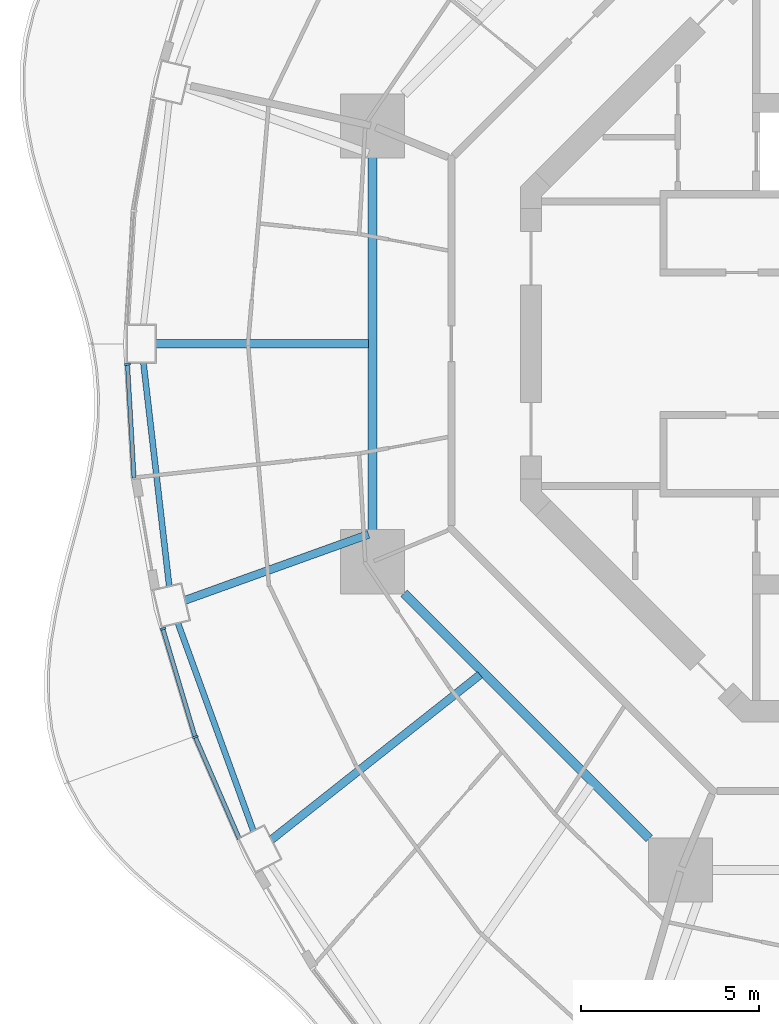
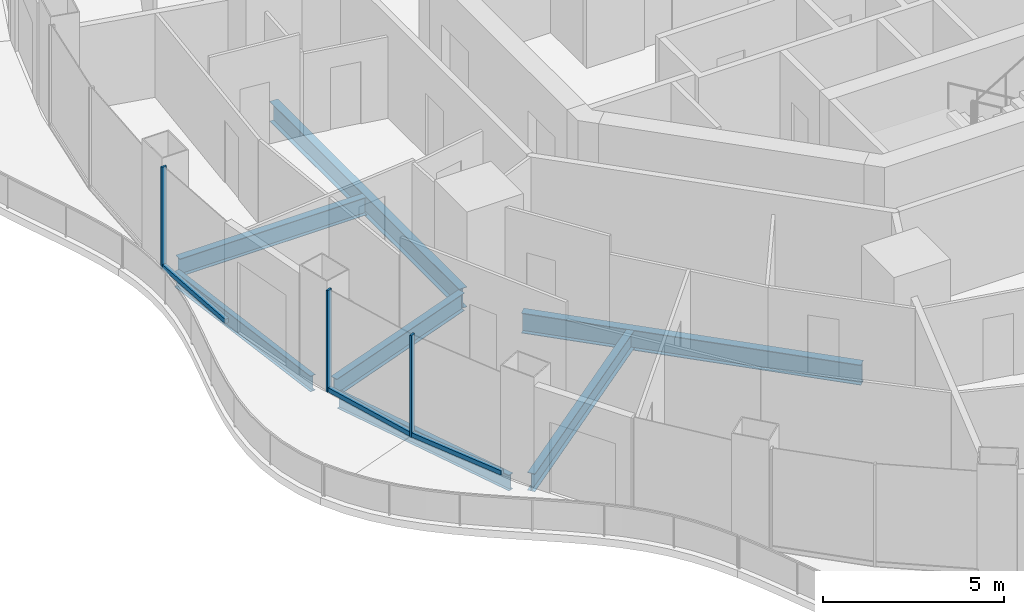
# One storey, part 3 of 19: 7 beams, 6 members, 3 elements without a shape of their own.
"""IFC4 building model written with IfcOpenShell, lengths in metres."""

from ifc_helpers import new_model, si_unit, direction, frame, origin, origin_2d, place, context, subcontext, project, spatial, rectangle, i_section, extrude, material, layer, layer_set, material_profile, profile_set, type_object, element, aggregate, save


model = new_model("IFC4")

# Units and contexts
model_context = context("Model", 3, precision=1e-05, world=origin(), true_north=direction((0.0, 1.0)))
body_context = subcontext(model_context, "Body", "Model", "MODEL_VIEW")
ifc_project = project(units=[si_unit("LENGTHUNIT", "METRE"), si_unit("AREAUNIT", "SQUARE_METRE"), si_unit("VOLUMEUNIT", "CUBIC_METRE"), si_unit("PLANEANGLEUNIT", "RADIAN"), si_unit("MASSUNIT", "GRAM", prefix="KILO")], contexts=[model_context])

# Site, building, storey
site_placement = place(None, origin())
site = spatial("IfcSite", under=ifc_project, at=site_placement, CompositionType="ELEMENT")
building_placement = place(site_placement, origin())
building = spatial("IfcBuilding", under=site, at=building_placement, Name="Nagisa Residences", CompositionType="ELEMENT")
storey_placement = place(building_placement, frame((0.0, 0.0, 184.39990234375)))
storey = spatial("IfcBuildingStorey", under=building, at=storey_placement, Name="L46", CompositionType="ELEMENT", Elevation=184.39990234375)

# Curtain wall, member
ifc_material_1 = material(Name="Concrete-coloured aluminium curtain wall system", Category="concrete")
ifc_layer = layer(ifc_material_1, 0.159912109375)
ifc_layer_set = layer_set([ifc_layer], Name="CW1 CURTAIN WALL")
curtain_wall_type = type_object("IfcCurtainWallType", Name="CW1 CURTAIN WALL", PredefinedType="NOTDEFINED", material=ifc_layer_set)
curtain_wall_1_placement = place(storey_placement, origin())
curtain_wall_1 = element("IfcCurtainWall", 1, at=curtain_wall_1_placement, inside=storey, type_object=curtain_wall_type, Name="cw:CW1:L46:24", PredefinedType="NOTDEFINED")
ifc_material_2 = material(Name="Concrete-coloured aluminium", Category="concrete")
ifc_material_profile_1 = material_profile(ifc_material_2, rectangle(XDim=0.159912109375, YDim=0.06005859375, at=origin_2d()), Name="CW1 MULLION 160x60")
ifc_profile_set_1 = profile_set([ifc_material_profile_1], Name="Concrete-coloured aluminium")
member_type_1 = type_object("IfcMemberType", Name="CW1 MULLION 160x60", PredefinedType="MULLION", material=ifc_profile_set_1)
member_1_placement = place(storey_placement, frame((-21.661865234375, -0.574462890625, 0.0), z_axis=(0.0, 0.0, 1.0), x_axis=(0.998345305184, 0.057503492216, 0.0)))
member_1 = element("IfcMember", 2, at=member_1_placement, type_object=member_type_1, Name="CW1 mullion", PredefinedType="MULLION", context=body_context, shape_type="SweptSolid", body=[
    extrude(rectangle(XDim=0.159912109375, YDim=0.06005859375, at=origin_2d()), origin(), (0.0, 0.0, 1.0), 3.440185546875),
])

curtain_wall_2_placement = place(storey_placement, origin())
curtain_wall_2 = element("IfcCurtainWall", 3, at=curtain_wall_2_placement, inside=storey, type_object=curtain_wall_type, Name="cw:CW1:L46:26", PredefinedType="NOTDEFINED")
member_2_placement = place(storey_placement, frame((-20.66796875, -8.00634765625, 0.0), z_axis=(0.0, 0.0, 1.0), x_axis=(0.958271310082, 0.285860274038, 0.0)))
member_2 = element("IfcMember", 4, at=member_2_placement, type_object=member_type_1, Name="CW1 mullion", PredefinedType="MULLION", context=body_context, shape_type="SweptSolid", body=[
    extrude(rectangle(XDim=0.159912109375, YDim=0.06005859375, at=origin_2d()), origin(), (0.0, 0.0, 1.0), 3.440185546875),
])

curtain_wall_3_placement = place(storey_placement, origin())
curtain_wall_3 = element("IfcCurtainWall", 5, at=curtain_wall_3_placement, inside=storey, type_object=curtain_wall_type, Name="cw:CW1:L46:27", PredefinedType="NOTDEFINED")
member_3_placement = place(storey_placement, frame((-19.758056640625, -11.045654296875, 0.0), z_axis=(0.0, 0.0, 1.0), x_axis=(0.917543276295, 0.397635934147, 0.0)))
member_3 = element("IfcMember", 6, at=member_3_placement, type_object=member_type_1, Name="CW1 mullion", PredefinedType="MULLION", context=body_context, shape_type="SweptSolid", body=[
    extrude(rectangle(XDim=0.159912109375, YDim=0.06005859375, at=origin_2d()), origin(), (0.0, 0.0, 1.0), 3.440185546875),
])

# Member
ifc_material_3 = material(Name="Concrete-coloured aluminium", Category="concrete")
ifc_material_profile_2 = material_profile(ifc_material_3, rectangle(XDim=0.1201171875, YDim=0.14990234375, at=origin_2d()), Name="CW1 TRANSOM 120x150")
ifc_profile_set_2 = profile_set([ifc_material_profile_2], Name="Concrete-coloured aluminium")
member_type_2 = type_object("IfcMemberType", Name="CW1 TRANSOM 120x150", PredefinedType="USERDEFINED", material=ifc_profile_set_2)
member_4_placement = place(storey_placement, frame((-21.66357421875, -0.54443359375, 0.0751953125), z_axis=(0.057528345118, -0.998343873376, 0.0), x_axis=(0.998343873376, 0.057528345118, 0.0)))
member_4 = element("IfcMember", 7, at=member_4_placement, type_object=member_type_2, Name="CW1 transom", ObjectType="TRANSOM", PredefinedType="USERDEFINED", context=body_context, shape_type="SweptSolid", body=[
    extrude(rectangle(XDim=0.1201171875, YDim=0.14990234375, at=origin_2d()), origin(), (0.0, 0.0, 1.0), 3.225341796875),
])

aggregate(curtain_wall_1, [member_1, member_4])

member_5_placement = place(storey_placement, frame((-20.676513671875, -7.9775390625, 0.0751953125), z_axis=(0.28584838049, -0.958274857946, 0.0), x_axis=(0.958274857946, 0.28584838049, 0.0)))
member_5 = element("IfcMember", 8, at=member_5_placement, type_object=member_type_2, Name="CW1 transom", ObjectType="TRANSOM", PredefinedType="USERDEFINED", context=body_context, shape_type="SweptSolid", body=[
    extrude(rectangle(XDim=0.1201171875, YDim=0.14990234375, at=origin_2d()), origin(), (0.0, 0.0, 1.0), 3.182373046875),
])

aggregate(curtain_wall_2, [member_2, member_5])

member_6_placement = place(storey_placement, frame((-19.77001953125, -11.01806640625, 0.0751953125), z_axis=(0.397592173732, -0.917562239517, 0.0), x_axis=(0.917562239517, 0.397592173732, 0.0)))
member_6 = element("IfcMember", 9, at=member_6_placement, type_object=member_type_2, Name="CW1 transom", ObjectType="TRANSOM", PredefinedType="USERDEFINED", context=body_context, shape_type="SweptSolid", body=[
    extrude(rectangle(XDim=0.1201171875, YDim=0.14990234375, at=origin_2d()), origin(), (0.0, 0.0, 1.0), 3.14208984375),
])

aggregate(curtain_wall_3, [member_3, member_6])

# Beams
ifc_material_4 = material(Name="Steel ASTM A572 Gr 50", Category="steel")
ifc_material_profile_3 = material_profile(ifc_material_4, i_section(OverallWidth=0.25390625, OverallDepth=0.68408203125, WebThickness=0.012451171875, FlangeThickness=0.018798828125, at=origin_2d()), Name="W690x140")
ifc_profile_set_3 = profile_set([ifc_material_profile_3], Name="Steel ASTM A572 Gr 50")
beam_type_1 = type_object("IfcBeamType", Name="Inner ring beam W690x140", PredefinedType="BEAM", material=ifc_profile_set_3)
beam_1_placement = place(storey_placement, frame((-14.781982421875, 5.242919921875, -0.601806640625), z_axis=(0.0, -1.0, 0.0), x_axis=(1.0, 0.0, 0.0)))
element("IfcBeam", 10, at=beam_1_placement, inside=storey, type_object=beam_type_1, Name="beam:L46:ib4", PredefinedType="BEAM", context=body_context, shape_type="SweptSolid", body=[
    extrude(i_section(OverallWidth=0.25390625, OverallDepth=0.68408203125, WebThickness=0.012451171875, FlangeThickness=0.018798828125, at=origin_2d()), origin(), (0.0, 0.0, 1.0), 10.48583984375),
])
beam_2_placement = place(storey_placement, frame((-13.896240234375, -7.0087890625, -0.601806640625), z_axis=(0.707106781187, -0.707106781187, 0.0), x_axis=(0.707106781187, 0.707106781187, 0.0)))
element("IfcBeam", 11, at=beam_2_placement, inside=storey, type_object=beam_type_1, Name="beam:L46:ib5", PredefinedType="BEAM", context=body_context, shape_type="SweptSolid", body=[
    extrude(i_section(OverallWidth=0.25390625, OverallDepth=0.68408203125, WebThickness=0.012451171875, FlangeThickness=0.018798828125, at=origin_2d()), origin(), (0.0, 0.0, 1.0), 9.740234375),
])
ifc_material_5 = material(Name="Steel ASTM A572 Gr 50", Category="steel")
ifc_material_profile_4 = material_profile(ifc_material_5, i_section(OverallWidth=0.166015625, OverallDepth=0.534912109375, WebThickness=0.01025390625, FlangeThickness=0.0166015625, at=origin_2d()), Name="W530x85")
ifc_profile_set_4 = profile_set([ifc_material_profile_4], Name="Steel ASTM A572 Gr 50")
beam_type_2 = type_object("IfcBeamType", Name="Perimeter ring beam W530x85", PredefinedType="BEAM", material=ifc_profile_set_4)
beam_3_placement = place(storey_placement, frame((-21.2138671875, -0.530029296875, -0.52734375), z_axis=(0.114670987431, -0.993403525583, 0.0), x_axis=(0.993403525583, 0.114670987431, 0.0)))
element("IfcBeam", 12, at=beam_3_placement, inside=storey, type_object=beam_type_2, Name="beam:L46:pb13", PredefinedType="BEAM", context=body_context, shape_type="SweptSolid", body=[
    extrude(i_section(OverallWidth=0.166015625, OverallDepth=0.534912109375, WebThickness=0.01025390625, FlangeThickness=0.0166015625, at=origin_2d()), origin(), (0.0, 0.0, 1.0), 6.325439453125),
])
beam_4_placement = place(storey_placement, frame((-20.2451171875, -7.845703125, -0.52734375), z_axis=(0.341285525681, -0.939959674646, 0.0), x_axis=(0.939959674646, 0.341285525681, 0.0)))
element("IfcBeam", 13, at=beam_4_placement, inside=storey, type_object=beam_type_2, Name="beam:L46:pb14", PredefinedType="BEAM", context=body_context, shape_type="SweptSolid", body=[
    extrude(i_section(OverallWidth=0.166015625, OverallDepth=0.534912109375, WebThickness=0.01025390625, FlangeThickness=0.0166015625, at=origin_2d()), origin(), (0.0, 0.0, 1.0), 6.212890625),
])
ifc_material_6 = material(Name="Steel ASTM A572 Gr 50", Category="steel")
ifc_material_profile_5 = material_profile(ifc_material_6, i_section(OverallWidth=0.22802734375, OverallDepth=0.60302734375, WebThickness=0.010498046875, FlangeThickness=0.014892578125, at=origin_2d()), Name="W610x101")
ifc_profile_set_5 = profile_set([ifc_material_profile_5], Name="Steel ASTM A572 Gr 50")
beam_type_3 = type_object("IfcBeamType", Name="Radial beam W610x101", PredefinedType="BEAM", material=ifc_profile_set_5)
beam_5_placement = place(storey_placement, frame((-20.8701171875, 0.0, -0.5615234375), z_axis=(1.0, 0.0, 0.0), x_axis=(0.0, 1.0, 0.0)))
element("IfcBeam", 14, at=beam_5_placement, inside=storey, type_object=beam_type_3, Name="beam:L46:rb13", PredefinedType="BEAM", context=body_context, shape_type="SweptSolid", body=[
    extrude(i_section(OverallWidth=0.22802734375, OverallDepth=0.60302734375, WebThickness=0.010498046875, FlangeThickness=0.014892578125, at=origin_2d()), origin(), (0.0, 0.0, 1.0), 5.98095703125),
])
beam_6_placement = place(storey_placement, frame((-20.043701171875, -7.2060546875, -0.5615234375), z_axis=(0.941032808963, 0.338315315137, 0.0), x_axis=(-0.338315315137, 0.941032808963, 0.0)))
element("IfcBeam", 15, at=beam_6_placement, inside=storey, type_object=beam_type_3, Name="beam:L46:rb14", PredefinedType="BEAM", context=body_context, shape_type="SweptSolid", body=[
    extrude(i_section(OverallWidth=0.22802734375, OverallDepth=0.60302734375, WebThickness=0.010498046875, FlangeThickness=0.014892578125, at=origin_2d()), origin(), (0.0, 0.0, 1.0), 5.4765625),
])
beam_7_placement = place(storey_placement, frame((-17.617919921875, -13.930908203125, -0.5615234375), z_axis=(0.784411523752, 0.620240728593, 0.0), x_axis=(-0.620240728593, 0.784411523752, 0.0)))
element("IfcBeam", 16, at=beam_7_placement, inside=storey, type_object=beam_type_3, Name="beam:L46:rb15", PredefinedType="BEAM", context=body_context, shape_type="SweptSolid", body=[
    extrude(i_section(OverallWidth=0.22802734375, OverallDepth=0.60302734375, WebThickness=0.010498046875, FlangeThickness=0.014892578125, at=origin_2d()), origin(), (0.0, 0.0, 1.0), 7.4697265625),
])

save(model, "model.ifc")
